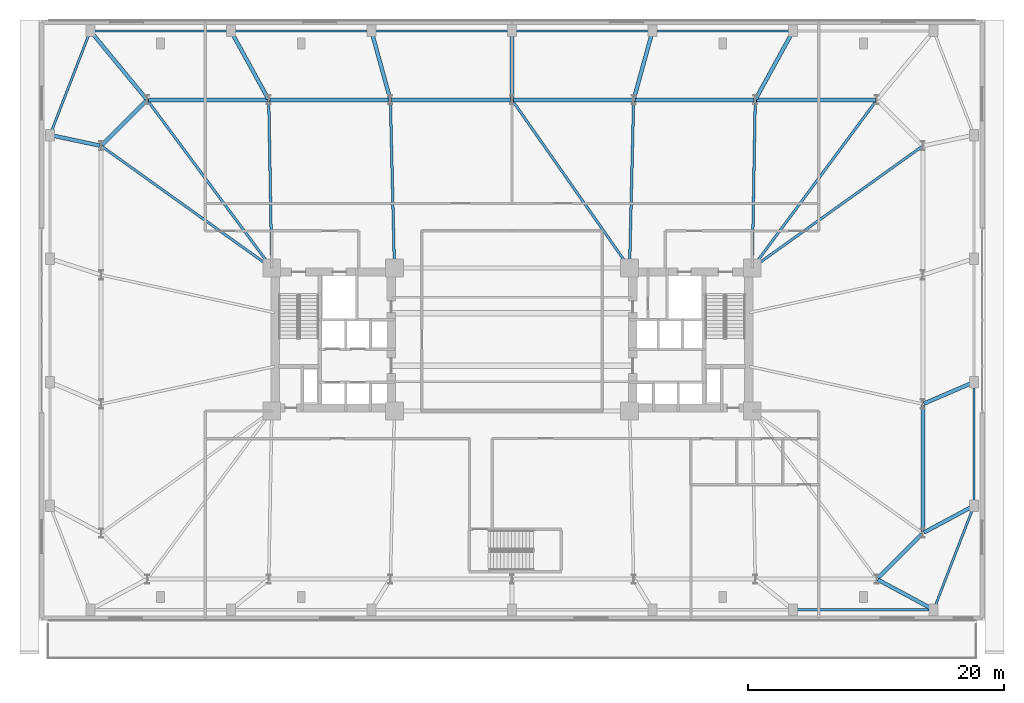
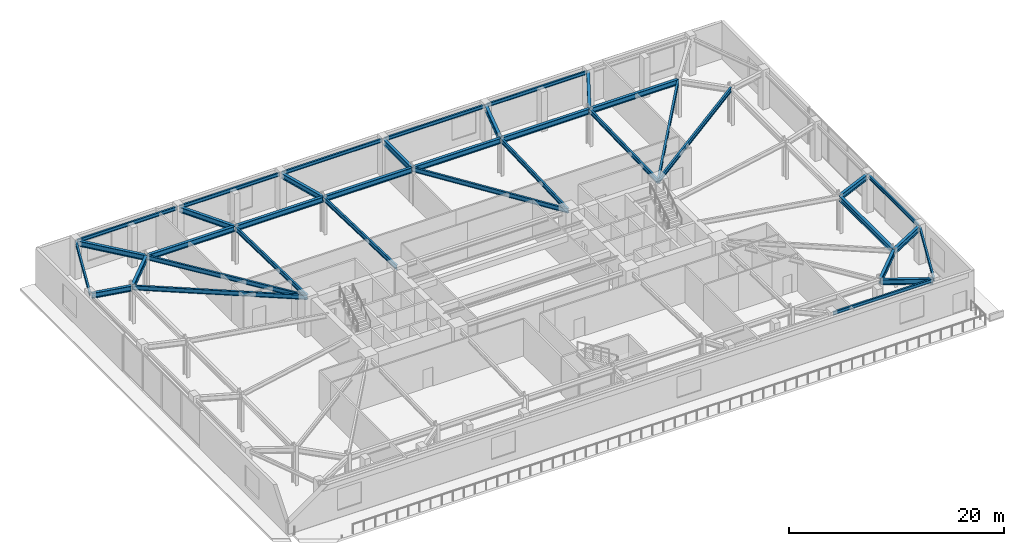
# One storey, part 9 of 21: 37 beams.
"""IFC4 building model written with IfcOpenShell, lengths in metres."""

from ifc_helpers import new_model, si_unit, direction, frame, origin, origin_2d, place, context, subcontext, project, spatial, i_section, extrude, material, material_profile, profile_set, type_object, element, save


model = new_model("IFC4")

# Units and contexts
model_context = context("Model", 3, precision=1e-05, world=origin(), true_north=direction((0.0, 1.0)))
body_context = subcontext(model_context, "Body", "Model", "MODEL_VIEW")
ifc_project = project(units=[si_unit("LENGTHUNIT", "METRE"), si_unit("AREAUNIT", "SQUARE_METRE"), si_unit("VOLUMEUNIT", "CUBIC_METRE"), si_unit("PLANEANGLEUNIT", "RADIAN"), si_unit("MASSUNIT", "GRAM", prefix="KILO")], contexts=[model_context])

# Site, building, storey
site_placement = place(None, origin())
site = spatial("IfcSite", under=ifc_project, at=site_placement, CompositionType="ELEMENT")
building_placement = place(site_placement, origin())
building = spatial("IfcBuilding", under=site, at=building_placement, Name="Qobustan Lattice House", CompositionType="ELEMENT")
storey_placement = place(building_placement, frame((0.0, 0.0, 13.5)))
storey = spatial("IfcBuildingStorey", under=building, at=storey_placement, Name="L03", CompositionType="ELEMENT", Elevation=13.5)

# Beams
ifc_material_1 = material(Name="Steel S355", Category="steel")
ifc_material_profile_1 = material_profile(ifc_material_1, i_section(OverallWidth=0.199951171875, OverallDepth=0.5, WebThickness=0.01025390625, FlangeThickness=0.01611328125, FilletRadius=0.02099609375, at=origin_2d()), Name="IPE500")
ifc_profile_set_1 = profile_set([ifc_material_profile_1], Name="Steel S355")
beam_type_1 = type_object("IfcBeamType", Name="BM-FLG-IPE500", PredefinedType="USERDEFINED", material=ifc_profile_set_1)
beam_1_placement = place(storey_placement, frame((-28.53515625, 18.72998046875, 3.919921875), z_axis=(0.5955916815, -0.803287338956, 0.0), x_axis=(0.803287338956, 0.5955916815, 0.0)))
element("IfcBeam", 1, at=beam_1_placement, inside=storey, type_object=beam_type_1, Name="L03 primary floor girder RAD-N7W", ObjectType="GIRDER", PredefinedType="USERDEFINED", context=body_context, shape_type="SweptSolid", body=[
    extrude(i_section(OverallWidth=0.199951171875, OverallDepth=0.5, WebThickness=0.01025390625, FlangeThickness=0.01611328125, FilletRadius=0.02099609375, at=origin_2d()), origin(), (0.0, 0.0, 1.0), 16.3203125),
])
beam_2_placement = place(storey_placement, frame((-19.032958984375, 18.72509765625, 3.919921875), z_axis=(0.017757831607, -0.999842317276, 0.0), x_axis=(0.999842317276, 0.017757831607, 0.0)))
element("IfcBeam", 2, at=beam_2_placement, inside=storey, type_object=beam_type_1, Name="L03 primary floor girder RAD-N6", ObjectType="GIRDER", PredefinedType="USERDEFINED", context=body_context, shape_type="SweptSolid", body=[
    extrude(i_section(OverallWidth=0.199951171875, OverallDepth=0.5, WebThickness=0.01025390625, FlangeThickness=0.01611328125, FilletRadius=0.02099609375, at=origin_2d()), origin(), (0.0, 0.0, 1.0), 13.10205078125),
])
beam_3_placement = place(storey_placement, frame((-9.51611328125, 18.72509765625, 3.919921875), z_axis=(0.024071445657, -0.999710240772, 0.0), x_axis=(0.999710240772, 0.024071445657, 0.0)))
element("IfcBeam", 3, at=beam_3_placement, inside=storey, type_object=beam_type_1, Name="L03 primary floor girder RAD-N5", ObjectType="GIRDER", PredefinedType="USERDEFINED", context=body_context, shape_type="SweptSolid", body=[
    extrude(i_section(OverallWidth=0.199951171875, OverallDepth=0.5, WebThickness=0.01025390625, FlangeThickness=0.01611328125, FilletRadius=0.02099609375, at=origin_2d()), origin(), (0.0, 0.0, 1.0), 13.10400390625),
])
beam_4_placement = place(storey_placement, frame((0.014404296875, 18.7294921875, 3.919921875), z_axis=(0.57325954206, -0.819373844736, 0.0), x_axis=(0.819373844736, 0.57325954206, 0.0)))
element("IfcBeam", 4, at=beam_4_placement, inside=storey, type_object=beam_type_1, Name="L03 primary floor girder RAD-N4", ObjectType="GIRDER", PredefinedType="USERDEFINED", context=body_context, shape_type="SweptSolid", body=[
    extrude(i_section(OverallWidth=0.199951171875, OverallDepth=0.5, WebThickness=0.01025390625, FlangeThickness=0.01611328125, FilletRadius=0.02099609375, at=origin_2d()), origin(), (0.0, 0.0, 1.0), 15.998779296875),
])
beam_5_placement = place(storey_placement, frame((9.51611328125, 18.72509765625, 3.919921875), z_axis=(-0.024071445657, -0.999710240772, 0.0), x_axis=(0.999710240772, -0.024071445657, 0.0)))
element("IfcBeam", 5, at=beam_5_placement, inside=storey, type_object=beam_type_1, Name="L03 primary floor girder RAD-N3", ObjectType="GIRDER", PredefinedType="USERDEFINED", context=body_context, shape_type="SweptSolid", body=[
    extrude(i_section(OverallWidth=0.199951171875, OverallDepth=0.5, WebThickness=0.01025390625, FlangeThickness=0.01611328125, FilletRadius=0.02099609375, at=origin_2d()), origin(), (0.0, 0.0, 1.0), 13.10400390625),
])
beam_6_placement = place(storey_placement, frame((19.032958984375, 18.72509765625, 3.919921875), z_axis=(-0.017757831607, -0.999842317276, 0.0), x_axis=(0.999842317276, -0.017757831607, 0.0)))
element("IfcBeam", 6, at=beam_6_placement, inside=storey, type_object=beam_type_1, Name="L03 primary floor girder RAD-N2", ObjectType="GIRDER", PredefinedType="USERDEFINED", context=body_context, shape_type="SweptSolid", body=[
    extrude(i_section(OverallWidth=0.199951171875, OverallDepth=0.5, WebThickness=0.01025390625, FlangeThickness=0.01611328125, FilletRadius=0.02099609375, at=origin_2d()), origin(), (0.0, 0.0, 1.0), 13.10205078125),
])
beam_7_placement = place(storey_placement, frame((28.53515625, 18.72998046875, 3.919921875), z_axis=(-0.5955916815, -0.803287338956, 0.0), x_axis=(0.803287338956, -0.5955916815, 0.0)))
element("IfcBeam", 7, at=beam_7_placement, inside=storey, type_object=beam_type_1, Name="L03 primary floor girder RAD-N1E", ObjectType="GIRDER", PredefinedType="USERDEFINED", context=body_context, shape_type="SweptSolid", body=[
    extrude(i_section(OverallWidth=0.199951171875, OverallDepth=0.5, WebThickness=0.01025390625, FlangeThickness=0.01611328125, FilletRadius=0.02099609375, at=origin_2d()), origin(), (0.0, 0.0, 1.0), 16.3203125),
])
for number, where, z_axis, x_axis, name in (
    (8, (-32.129638671875, 15.135498046875, 3.919921875), (0.813318954893, -0.581818079481, 0.0), (0.581818079481, 0.813318954893, 0.0), "L03 primary floor girder RAD-W1"),
    (9, (32.129638671875, 15.135498046875, 3.919921875), (-0.813318954893, -0.581818079481, 0.0), (0.581818079481, -0.813318954893, 0.0), "L03 primary floor girder RAD-E4"),
):
    element("IfcBeam", number, at=place(storey_placement, frame(where, z_axis=z_axis, x_axis=x_axis)), inside=storey, type_object=beam_type_1, Name=name, ObjectType="GIRDER", PredefinedType="USERDEFINED", context=body_context, shape_type="SweptSolid", body=[
        extrude(i_section(OverallWidth=0.199951171875, OverallDepth=0.5, WebThickness=0.01025390625, FlangeThickness=0.01611328125, FilletRadius=0.02099609375, at=origin_2d()), origin(), (0.0, 0.0, 1.0), 16.3642578125),
    ])
ifc_material_2 = material(Name="Steel S355", Category="steel")
ifc_material_profile_2 = material_profile(ifc_material_2, i_section(OverallWidth=0.300048828125, OverallDepth=0.60009765625, WebThickness=0.015380859375, FlangeThickness=0.030029296875, FilletRadius=0.027099609375, at=origin_2d()), Name="HEB600")
ifc_profile_set_2 = profile_set([ifc_material_profile_2], Name="Steel S355")
beam_type_2 = type_object("IfcBeamType", Name="BM-POD-HEB600", PredefinedType="USERDEFINED", material=ifc_profile_set_2)
beam_8_placement = place(storey_placement, frame((28.62060546875, -18.67919921875, 3.8701171875), z_axis=(0.70713173775, 0.707081823743, 0.0), x_axis=(-0.707081823743, 0.70713173775, 0.0)))
element("IfcBeam", 10, at=beam_8_placement, inside=storey, type_object=beam_type_2, Name="L03 tower base ring girder S7-E1", ObjectType="GIRDER", PredefinedType="USERDEFINED", context=body_context, shape_type="SweptSolid", body=[
    extrude(i_section(OverallWidth=0.300048828125, OverallDepth=0.60009765625, WebThickness=0.015380859375, FlangeThickness=0.030029296875, FilletRadius=0.027099609375, at=origin_2d()), origin(), (0.0, 0.0, 1.0), 4.89111328125),
])
beam_9_placement = place(storey_placement, frame((32.14990234375, -15.050048828125, 3.8701171875), z_axis=(0.0, 1.0, 0.0), x_axis=(-1.0, 0.0, 0.0)))
element("IfcBeam", 11, at=beam_9_placement, inside=storey, type_object=beam_type_2, Name="L03 tower base ring girder E1-E2", ObjectType="GIRDER", PredefinedType="USERDEFINED", context=body_context, shape_type="SweptSolid", body=[
    extrude(i_section(OverallWidth=0.300048828125, OverallDepth=0.60009765625, WebThickness=0.015380859375, FlangeThickness=0.030029296875, FilletRadius=0.027099609375, at=origin_2d()), origin(), (0.0, 0.0, 1.0), 9.900146484375),
])
for number, where, z_axis, x_axis, name in (
    (12, (28.449951171875, 18.75, 3.8701171875), (-1.0, 0.0, 0.0), (0.0, -1.0, 0.0), "L03 tower base ring girder N1-N2"),
    (13, (18.933349609375, 18.75, 3.8701171875), (-1.0, 0.0, 0.0), (0.0, -1.0, 0.0), "L03 tower base ring girder N2-N3"),
    (14, (9.416748046875, 18.75, 3.8701171875), (-1.0, 0.0, 0.0), (0.0, -1.0, 0.0), "L03 tower base ring girder N3-N4"),
    (15, (-0.10009765625, 18.75, 3.8701171875), (-1.0, 0.0, 0.0), (0.0, -1.0, 0.0), "L03 tower base ring girder N4-N5"),
    (16, (-9.61669921875, 18.75, 3.8701171875), (-1.0, 0.0, 0.0), (0.0, -1.0, 0.0), "L03 tower base ring girder N5-N6"),
    (17, (-19.13330078125, 18.75, 3.8701171875), (-1.0, 0.0, 0.0), (0.0, -1.0, 0.0), "L03 tower base ring girder N6-N7"),
):
    element("IfcBeam", number, at=place(storey_placement, frame(where, z_axis=z_axis, x_axis=x_axis)), inside=storey, type_object=beam_type_2, Name=name, ObjectType="GIRDER", PredefinedType="USERDEFINED", context=body_context, shape_type="SweptSolid", body=[
        extrude(i_section(OverallWidth=0.300048828125, OverallDepth=0.60009765625, WebThickness=0.015380859375, FlangeThickness=0.030029296875, FilletRadius=0.027099609375, at=origin_2d()), origin(), (0.0, 0.0, 1.0), 9.316650390625),
    ])
beam_10_placement = place(storey_placement, frame((-28.62060546875, 18.67919921875, 3.8701171875), z_axis=(-0.70713173775, -0.707081823743, 0.0), x_axis=(0.707081823743, -0.70713173775, 0.0)))
element("IfcBeam", 18, at=beam_10_placement, inside=storey, type_object=beam_type_2, Name="L03 tower base ring girder N7-W1", ObjectType="GIRDER", PredefinedType="USERDEFINED", context=body_context, shape_type="SweptSolid", body=[
    extrude(i_section(OverallWidth=0.300048828125, OverallDepth=0.60009765625, WebThickness=0.015380859375, FlangeThickness=0.030029296875, FilletRadius=0.027099609375, at=origin_2d()), origin(), (0.0, 0.0, 1.0), 4.89111328125),
])
beam_11_placement = place(storey_placement, frame((-32.923583984375, 24.057373046875, 3.8701171875), z_axis=(0.635954703728, -0.771726385973, 0.0), x_axis=(0.771726385973, 0.635954703728, 0.0)))
element("IfcBeam", 19, at=beam_11_placement, inside=storey, type_object=beam_type_2, Name="L03 podium radial girder PN1", ObjectType="GIRDER", PredefinedType="USERDEFINED", context=body_context, shape_type="SweptSolid", body=[
    extrude(i_section(OverallWidth=0.300048828125, OverallDepth=0.60009765625, WebThickness=0.015380859375, FlangeThickness=0.030029296875, FilletRadius=0.027099609375, at=origin_2d()), origin(), (0.0, 0.0, 1.0), 6.77734375),
])
beam_12_placement = place(storey_placement, frame((-21.942138671875, 24.044921875, 3.8701171875), z_axis=(0.481478583255, -0.876457856298, 0.0), x_axis=(0.876457856298, 0.481478583255, 0.0)))
element("IfcBeam", 20, at=beam_12_placement, inside=storey, type_object=beam_type_2, Name="L03 podium radial girder PN2", ObjectType="GIRDER", PredefinedType="USERDEFINED", context=body_context, shape_type="SweptSolid", body=[
    extrude(i_section(OverallWidth=0.300048828125, OverallDepth=0.60009765625, WebThickness=0.015380859375, FlangeThickness=0.030029296875, FilletRadius=0.027099609375, at=origin_2d()), origin(), (0.0, 0.0, 1.0), 5.941162109375),
])
beam_13_placement = place(storey_placement, frame((-10.96826171875, 24.0341796875, 3.8701171875), z_axis=(0.264883295611, -0.964280477717, 0.0), x_axis=(0.964280477717, 0.264883295611, 0.0)))
element("IfcBeam", 21, at=beam_13_placement, inside=storey, type_object=beam_type_2, Name="L03 podium radial girder PN3", ObjectType="GIRDER", PredefinedType="USERDEFINED", context=body_context, shape_type="SweptSolid", body=[
    extrude(i_section(OverallWidth=0.300048828125, OverallDepth=0.60009765625, WebThickness=0.015380859375, FlangeThickness=0.030029296875, FilletRadius=0.027099609375, at=origin_2d()), origin(), (0.0, 0.0, 1.0), 5.3798828125),
])
beam_14_placement = place(storey_placement, frame((0.0, 24.030029296875, 3.8701171875), z_axis=(0.0, -1.0, 0.0), x_axis=(1.0, 0.0, 0.0)))
element("IfcBeam", 22, at=beam_14_placement, inside=storey, type_object=beam_type_2, Name="L03 podium radial girder PN4", ObjectType="GIRDER", PredefinedType="USERDEFINED", context=body_context, shape_type="SweptSolid", body=[
    extrude(i_section(OverallWidth=0.300048828125, OverallDepth=0.60009765625, WebThickness=0.015380859375, FlangeThickness=0.030029296875, FilletRadius=0.027099609375, at=origin_2d()), origin(), (0.0, 0.0, 1.0), 5.179931640625),
])
beam_15_placement = place(storey_placement, frame((10.96826171875, 24.0341796875, 3.8701171875), z_axis=(-0.264883295611, -0.964280477717, 0.0), x_axis=(0.964280477717, -0.264883295611, 0.0)))
element("IfcBeam", 23, at=beam_15_placement, inside=storey, type_object=beam_type_2, Name="L03 podium radial girder PN5", ObjectType="GIRDER", PredefinedType="USERDEFINED", context=body_context, shape_type="SweptSolid", body=[
    extrude(i_section(OverallWidth=0.300048828125, OverallDepth=0.60009765625, WebThickness=0.015380859375, FlangeThickness=0.030029296875, FilletRadius=0.027099609375, at=origin_2d()), origin(), (0.0, 0.0, 1.0), 5.3798828125),
])
beam_16_placement = place(storey_placement, frame((21.942138671875, 24.044921875, 3.8701171875), z_axis=(-0.481478583255, -0.876457856298, 0.0), x_axis=(0.876457856298, -0.481478583255, 0.0)))
element("IfcBeam", 24, at=beam_16_placement, inside=storey, type_object=beam_type_2, Name="L03 podium radial girder PN6", ObjectType="GIRDER", PredefinedType="USERDEFINED", context=body_context, shape_type="SweptSolid", body=[
    extrude(i_section(OverallWidth=0.300048828125, OverallDepth=0.60009765625, WebThickness=0.015380859375, FlangeThickness=0.030029296875, FilletRadius=0.027099609375, at=origin_2d()), origin(), (0.0, 0.0, 1.0), 5.941162109375),
])
beam_17_placement = place(storey_placement, frame((32.894287109375, -21.093017578125, 3.8701171875), z_axis=(-0.88016615165, 0.474665719732, 0.0), x_axis=(-0.474665719732, -0.88016615165, 0.0)))
element("IfcBeam", 25, at=beam_17_placement, inside=storey, type_object=beam_type_2, Name="L03 podium radial girder PS7", ObjectType="GIRDER", PredefinedType="USERDEFINED", context=body_context, shape_type="SweptSolid", body=[
    extrude(i_section(OverallWidth=0.300048828125, OverallDepth=0.60009765625, WebThickness=0.015380859375, FlangeThickness=0.030029296875, FilletRadius=0.027099609375, at=origin_2d()), origin(), (0.0, 0.0, 1.0), 4.8359375),
])
beam_18_placement = place(storey_placement, frame((36.044189453125, -13.056884765625, 3.8701171875), z_axis=(-0.880815561441, -0.473459551307, 0.0), x_axis=(0.473459551307, -0.880815561441, 0.0)))
element("IfcBeam", 26, at=beam_18_placement, inside=storey, type_object=beam_type_2, Name="L03 podium radial girder PE1", ObjectType="GIRDER", PredefinedType="USERDEFINED", context=body_context, shape_type="SweptSolid", body=[
    extrude(i_section(OverallWidth=0.300048828125, OverallDepth=0.60009765625, WebThickness=0.015380859375, FlangeThickness=0.030029296875, FilletRadius=0.027099609375, at=origin_2d()), origin(), (0.0, 0.0, 1.0), 4.3212890625),
])
beam_19_placement = place(storey_placement, frame((36.039794921875, -3.380615234375, 3.8701171875), z_axis=(-0.918949362679, -0.394375542893, 0.0), x_axis=(0.394375542893, -0.918949362679, 0.0)))
element("IfcBeam", 27, at=beam_19_placement, inside=storey, type_object=beam_type_2, Name="L03 podium radial girder PE2", ObjectType="GIRDER", PredefinedType="USERDEFINED", context=body_context, shape_type="SweptSolid", body=[
    extrude(i_section(OverallWidth=0.300048828125, OverallDepth=0.60009765625, WebThickness=0.015380859375, FlangeThickness=0.030029296875, FilletRadius=0.027099609375, at=origin_2d()), origin(), (0.0, 0.0, 1.0), 4.1328125),
])
beam_20_placement = place(storey_placement, frame((-36.03271484375, 15.97509765625, 3.8701171875), z_axis=(0.978163821655, -0.207835362738, 0.0), x_axis=(0.207835362738, 0.978163821655, 0.0)))
element("IfcBeam", 28, at=beam_20_placement, inside=storey, type_object=beam_type_2, Name="L03 podium radial girder PW4", ObjectType="GIRDER", PredefinedType="USERDEFINED", context=body_context, shape_type="SweptSolid", body=[
    extrude(i_section(OverallWidth=0.300048828125, OverallDepth=0.60009765625, WebThickness=0.015380859375, FlangeThickness=0.030029296875, FilletRadius=0.027099609375, at=origin_2d()), origin(), (0.0, 0.0, 1.0), 3.869384765625),
])
ifc_material_3 = material(Name="Steel S355", Category="steel")
ifc_material_profile_3 = material_profile(ifc_material_3, i_section(OverallWidth=0.179931640625, OverallDepth=0.39990234375, WebThickness=0.008544921875, FlangeThickness=0.013427734375, FilletRadius=0.02099609375, at=origin_2d()), Name="IPE400")
ifc_profile_set_3 = profile_set([ifc_material_profile_3], Name="Steel S355")
beam_type_3 = type_object("IfcBeamType", Name="BM-SPD-IPE400", PredefinedType="SPANDREL", material=ifc_profile_set_3)
for number, where, z_axis, x_axis, name in (
    (29, (22.1201171875, -21.14990234375, 3.969970703125), (1.0, 0.0, 0.0), (0.0, 1.0, 0.0), "L03 podium spandrel PS6-PS7"),
    (30, (-32.8798828125, 24.14990234375, 3.969970703125), (1.0, 0.0, 0.0), (0.0, 1.0, 0.0), "L03 podium spandrel PN1-PN2"),
    (31, (-21.8798828125, 24.14990234375, 3.969970703125), (1.0, 0.0, 0.0), (0.0, 1.0, 0.0), "L03 podium spandrel PN2-PN3"),
    (32, (-10.8798828125, 24.14990234375, 3.969970703125), (1.0, 0.0, 0.0), (0.0, 1.0, 0.0), "L03 podium spandrel PN3-PN4"),
    (33, (0.1201171875, 24.14990234375, 3.969970703125), (1.0, 0.0, 0.0), (0.0, 1.0, 0.0), "L03 podium spandrel PN4-PN5"),
    (34, (11.1201171875, 24.14990234375, 3.969970703125), (1.0, 0.0, 0.0), (0.0, 1.0, 0.0), "L03 podium spandrel PN5-PN6"),
):
    element("IfcBeam", number, at=place(storey_placement, frame(where, z_axis=z_axis, x_axis=x_axis)), inside=storey, type_object=beam_type_3, Name=name, PredefinedType="SPANDREL", context=body_context, shape_type="SweptSolid", body=[
        extrude(i_section(OverallWidth=0.179931640625, OverallDepth=0.39990234375, WebThickness=0.008544921875, FlangeThickness=0.013427734375, FilletRadius=0.02099609375, at=origin_2d()), origin(), (0.0, 0.0, 1.0), 10.759765625),
    ])
beam_21_placement = place(storey_placement, frame((36.14990234375, -12.8798828125, 3.969970703125), z_axis=(0.0, 1.0, 0.0), x_axis=(-1.0, 0.0, 0.0)))
element("IfcBeam", 35, at=beam_21_placement, inside=storey, type_object=beam_type_3, Name="L03 podium spandrel PE1-PE2", PredefinedType="SPANDREL", context=body_context, shape_type="SweptSolid", body=[
    extrude(i_section(OverallWidth=0.179931640625, OverallDepth=0.39990234375, WebThickness=0.008544921875, FlangeThickness=0.013427734375, FilletRadius=0.02099609375, at=origin_2d()), origin(), (0.0, 0.0, 1.0), 9.426513671875),
])
beam_22_placement = place(storey_placement, frame((-36.106689453125, 16.112060546875, 3.969970703125), z_axis=(0.360516886299, 0.932752686779, 0.0), x_axis=(-0.932752686779, 0.360516886299, 0.0)))
element("IfcBeam", 36, at=beam_22_placement, inside=storey, type_object=beam_type_3, Name="L03 podium corner tie PW4-PN1", PredefinedType="SPANDREL", context=body_context, shape_type="SweptSolid", body=[
    extrude(i_section(OverallWidth=0.179931640625, OverallDepth=0.39990234375, WebThickness=0.008544921875, FlangeThickness=0.013427734375, FilletRadius=0.02099609375, at=origin_2d()), origin(), (0.0, 0.0, 1.0), 8.49755859375),
])
beam_23_placement = place(storey_placement, frame((36.106689453125, -13.11181640625, 3.969970703125), z_axis=(-0.360507225068, -0.93275642087, 0.0), x_axis=(0.93275642087, -0.360507225068, 0.0)))
element("IfcBeam", 37, at=beam_23_placement, inside=storey, type_object=beam_type_3, Name="L03 podium corner tie PE1-PS7", PredefinedType="SPANDREL", context=body_context, shape_type="SweptSolid", body=[
    extrude(i_section(OverallWidth=0.179931640625, OverallDepth=0.39990234375, WebThickness=0.008544921875, FlangeThickness=0.013427734375, FilletRadius=0.02099609375, at=origin_2d()), origin(), (0.0, 0.0, 1.0), 8.497802734375),
])

save(model, "model.ifc")
